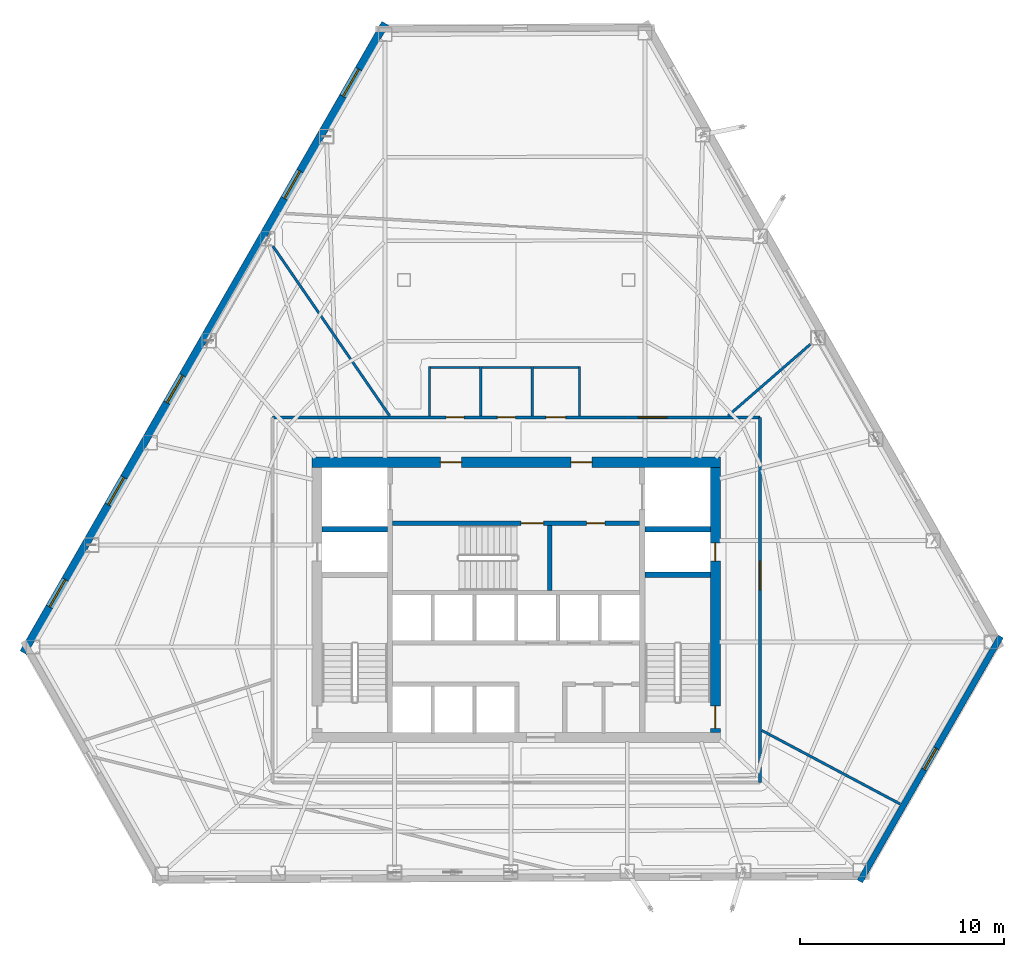
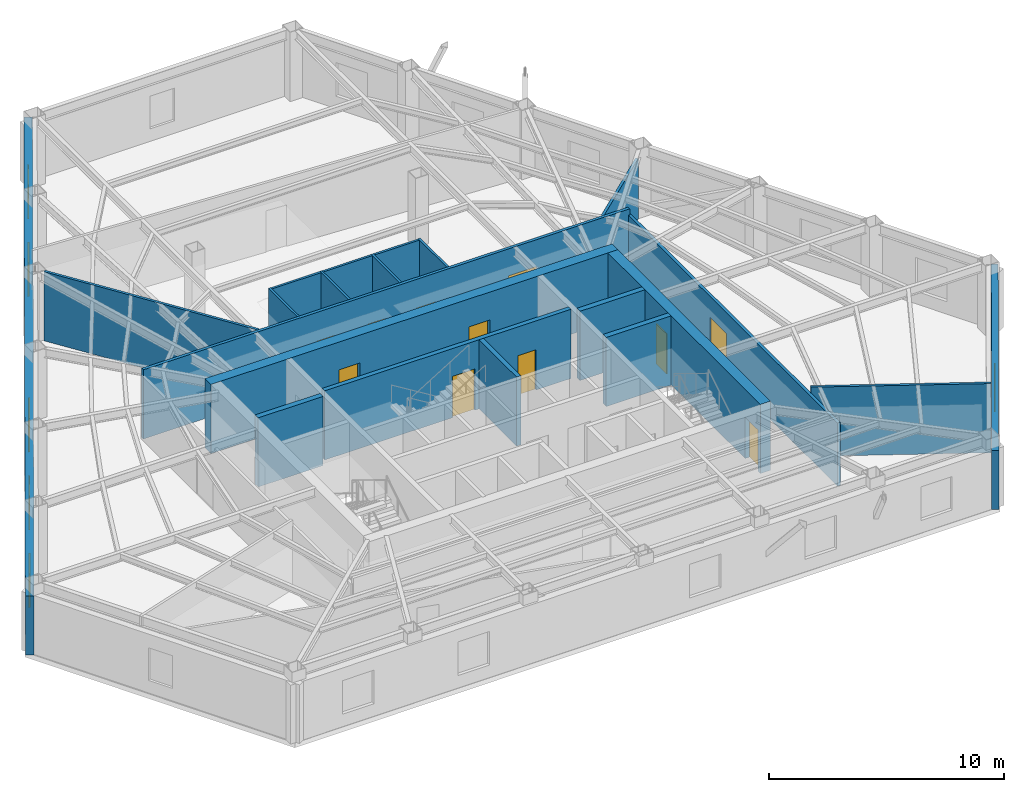
# One storey, part 9 of 13: 19 walls, 11 doors, 6 windows, 17 openings.
"""IFC4 building model written with IfcOpenShell, lengths in metres."""

from ifc_helpers import new_model, si_unit, direction, frame, frame_2d, origin, place, context, subcontext, project, spatial, rectangle, extrude, material, layer, layer_set, type_object, element, fill, save


model = new_model("IFC4")

# Units and contexts
model_context = context("Model", 3, precision=1e-05, world=origin(), true_north=direction((0.0, 1.0)))
body_context = subcontext(model_context, "Body", "Model", "MODEL_VIEW")
ifc_project = project(units=[si_unit("LENGTHUNIT", "METRE"), si_unit("AREAUNIT", "SQUARE_METRE"), si_unit("VOLUMEUNIT", "CUBIC_METRE"), si_unit("PLANEANGLEUNIT", "RADIAN"), si_unit("MASSUNIT", "GRAM", prefix="KILO")], contexts=[model_context])

# Site, building, storey
site_placement = place(None, origin())
site = spatial("IfcSite", under=ifc_project, at=site_placement, CompositionType="ELEMENT")
building_placement = place(site_placement, origin())
building = spatial("IfcBuilding", under=site, at=building_placement, Name="Kavelnor Concourse Tower", CompositionType="ELEMENT")
storey_placement = place(building_placement, frame((0.0, 0.0, 85.5)))
storey = spatial("IfcBuildingStorey", under=building, at=storey_placement, Name="L21", CompositionType="ELEMENT", Elevation=85.5)

# Wall, openings, doors
ifc_material_1 = material(Name="Concrete C60/75", Category="concrete")
ifc_layer_1 = layer(ifc_material_1, 0.5, Name="Concrete C60/75")
ifc_layer_set_1 = layer_set([ifc_layer_1], Name="Concrete C60/75")
wall_type_1 = type_object("IfcWallType", Name="WL-CORE-Z2-500", PredefinedType="SOLIDWALL", material=ifc_layer_set_1)
wall_1_placement = place(storey_placement, frame((27.97998046875, 22.85009765625, 0.0), z_axis=(0.0, 0.0, 1.0), x_axis=(1.0, 0.0, 0.0)))
wall_1 = element("IfcWall", 1, at=wall_1_placement, inside=storey, type_object=wall_type_1, Name="L21 Central Core North Shear Wall", PredefinedType="SOLIDWALL", context=body_context, shape_type="SweptSolid", body=[
    extrude(rectangle(XDim=20.0400390625, YDim=0.5, at=frame_2d((10.02001953125, 0.0))), origin(), (0.0, 0.0, 1.0), 3.60009765625),
])
opening_1_placement = place(wall_1_placement, frame((6.294921875, 0.0, 0.0)))
opening_1 = element("IfcOpeningElement", 2, at=opening_1_placement, cuts=wall_1, Name="Opening FD-105", PredefinedType="OPENING", context=body_context, shape_type="SweptSolid", body=[
    extrude(rectangle(XDim=1.050048828125, YDim=2.14990234375, at=frame_2d((0.52490234375, 1.074951171875))), frame((0.0, 0.260009765625, 0.0), z_axis=(0.0, -1.0, 0.0), x_axis=(1.0, 0.0, 0.0)), (0.0, 0.0, 1.0), 0.52001953125),
])
opening_2_placement = place(wall_1_placement, frame((12.695068359375, 0.0, 0.0)))
opening_2 = element("IfcOpeningElement", 3, at=opening_2_placement, cuts=wall_1, Name="Opening FD-105", PredefinedType="OPENING", context=body_context, shape_type="SweptSolid", body=[
    extrude(rectangle(XDim=1.050048828125, YDim=2.14990234375, at=frame_2d((0.52490234375, 1.074951171875))), frame((0.0, 0.260009765625, 0.0), z_axis=(0.0, -1.0, 0.0), x_axis=(1.0, 0.0, 0.0)), (0.0, 0.0, 1.0), 0.52001953125),
])
ifc_material_2 = material(Name="Steel Grade 350", Category="steel")
door_type_1 = type_object("IfcDoorType", Name="DR-LOBBY-FIRE-1050", OperationType="NOTDEFINED", PredefinedType="DOOR", material=ifc_material_2)
door_1_placement = place(opening_1_placement, origin())
door_1 = element("IfcDoor", 4, at=door_1_placement, inside=storey, type_object=door_type_1, Name="L21 Emergency Lift Lobby West Door", OperationType="SINGLE_SWING_LEFT", OverallHeight=2.14990234375, OverallWidth=1.050048828125, PredefinedType="DOOR", context=body_context, shape_type="SweptSolid", body=[
    extrude(rectangle(XDim=1.050048828125, YDim=2.14990234375, at=frame_2d((0.52490234375, 1.074951171875))), frame((0.0, 0.02490234375, 0.0), z_axis=(0.0, -1.0, 0.0), x_axis=(1.0, 0.0, 0.0)), (0.0, 0.0, 1.0), 0.050048828125),
])
fill(opening_1, door_1)
door_2_placement = place(opening_2_placement, origin())
door_2 = element("IfcDoor", 5, at=door_2_placement, inside=storey, type_object=door_type_1, Name="L21 Emergency Lift Lobby East Door", OperationType="SINGLE_SWING_RIGHT", OverallHeight=2.14990234375, OverallWidth=1.050048828125, PredefinedType="DOOR", context=body_context, shape_type="SweptSolid", body=[
    extrude(rectangle(XDim=1.050048828125, YDim=2.14990234375, at=frame_2d((0.52490234375, 1.074951171875))), frame((0.0, 0.02490234375, 0.0), z_axis=(0.0, -1.0, 0.0), x_axis=(1.0, 0.0, 0.0)), (0.0, 0.0, 1.0), 0.050048828125),
])
fill(opening_2, door_2)

wall_2_placement = place(storey_placement, frame((47.77001953125, 9.60009765625, 0.0), z_axis=(0.0, 0.0, 1.0), x_axis=(0.0, 1.0, 0.0)))
wall_2 = element("IfcWall", 6, at=wall_2_placement, inside=storey, type_object=wall_type_1, Name="L21 Central Core East Shear Wall", PredefinedType="SOLIDWALL", context=body_context, shape_type="SweptSolid", body=[
    extrude(rectangle(XDim=13.0, YDim=0.5, at=frame_2d((6.5, 0.0))), origin(), (0.0, 0.0, 1.0), 3.60009765625),
])
opening_3_placement = place(wall_2_placement, frame((0.199951171875, 0.0, 0.0)))
opening_3 = element("IfcOpeningElement", 7, at=opening_3_placement, cuts=wall_2, Name="Opening FD-110", PredefinedType="OPENING", context=body_context, shape_type="SweptSolid", body=[
    extrude(rectangle(XDim=1.10009765625, YDim=2.14990234375, at=frame_2d((0.550048828125, 1.074951171875))), frame((0.0, 0.260009765625, 0.0), z_axis=(0.0, -1.0, 0.0), x_axis=(1.0, 0.0, 0.0)), (0.0, 0.0, 1.0), 0.52001953125),
])
opening_4_placement = place(wall_2_placement, frame((8.39990234375, 0.0, 0.0)))
opening_4 = element("IfcOpeningElement", 8, at=opening_4_placement, cuts=wall_2, Name="Opening FD-090", PredefinedType="OPENING", context=body_context, shape_type="SweptSolid", body=[
    extrude(rectangle(XDim=0.89990234375, YDim=2.10009765625, at=frame_2d((0.449951171875, 1.050048828125))), frame((0.0, 0.260009765625, 0.0), z_axis=(0.0, -1.0, 0.0), x_axis=(1.0, 0.0, 0.0)), (0.0, 0.0, 1.0), 0.52001953125),
])
door_type_2 = type_object("IfcDoorType", Name="DR-RISER-FIRE-900", OperationType="NOTDEFINED", PredefinedType="DOOR", material=ifc_material_2)
door_3_placement = place(opening_4_placement, origin())
door_3 = element("IfcDoor", 9, at=door_3_placement, inside=storey, type_object=door_type_2, Name="L21 East Riser Access Door", OperationType="SINGLE_SWING_LEFT", OverallHeight=2.10009765625, OverallWidth=0.89990234375, PredefinedType="DOOR", context=body_context, shape_type="SweptSolid", body=[
    extrude(rectangle(XDim=0.89990234375, YDim=2.10009765625, at=frame_2d((0.449951171875, 1.050048828125))), frame((0.0, 0.02490234375, 0.0), z_axis=(0.0, -1.0, 0.0), x_axis=(1.0, 0.0, 0.0)), (0.0, 0.0, 1.0), 0.050048828125),
])
fill(opening_4, door_3)
door_type_3 = type_object("IfcDoorType", Name="DR-STAIR-FIRE-1100", OperationType="NOTDEFINED", PredefinedType="DOOR", material=ifc_material_2)
door_4_placement = place(opening_3_placement, origin())
door_4 = element("IfcDoor", 10, at=door_4_placement, inside=storey, type_object=door_type_3, Name="L21 Stair ST2 Fire Door", OperationType="SINGLE_SWING_RIGHT", OverallHeight=2.14990234375, OverallWidth=1.10009765625, PredefinedType="DOOR", context=body_context, shape_type="SweptSolid", body=[
    extrude(rectangle(XDim=1.10009765625, YDim=2.14990234375, at=frame_2d((0.550048828125, 1.074951171875))), frame((0.0, 0.02490234375, 0.0), z_axis=(0.0, -1.0, 0.0), x_axis=(1.0, 0.0, 0.0)), (0.0, 0.0, 1.0), 0.050048828125),
])
fill(opening_3, door_4)

# Wall, opening, window
ifc_material_3 = material(Name="Buff ironspot clay face brick masonry", Category="masonry")
ifc_layer_2 = layer(ifc_material_3, 0.300048828125, Name="Buff ironspot clay face brick masonry")
ifc_layer_set_2 = layer_set([ifc_layer_2], Name="Buff ironspot clay face brick masonry")
wall_type_2 = type_object("IfcWallType", Name="WL-EXT-BUFF-BRICK-FOLD-300", PredefinedType="STANDARD", material=ifc_layer_set_2)
wall_3_placement = place(storey_placement, frame((61.768310546875, 14.30419921875, 0.0), z_axis=(0.0, 0.0, 1.0), x_axis=(-0.498436047596, -0.866926471194, 0.0)))
wall_3 = element("IfcWall", 11, at=wall_3_placement, inside=storey, type_object=wall_type_2, Name="L21 Exterior Brick Facade Wall E4", PredefinedType="STANDARD", context=body_context, shape_type="SweptSolid", body=[
    extrude(rectangle(XDim=13.86181640625, YDim=0.300048828125, at=frame_2d((6.930908203125, 0.0))), origin(), (0.0, 0.0, 1.0), 3.05908203125),
])
opening_5_placement = place(wall_3_placement, frame((6.330810546875, 0.0, 0.64990234375)))
opening_5 = element("IfcOpeningElement", 12, at=opening_5_placement, cuts=wall_3, Name="Opening W-05", PredefinedType="OPENING", context=body_context, shape_type="SweptSolid", body=[
    extrude(rectangle(XDim=1.199951171875, YDim=1.699951171875, at=frame_2d((0.60009765625, 0.85009765625))), frame((0.0, 0.16015625, 0.0), z_axis=(0.0, -1.0, 0.0), x_axis=(1.0, 0.0, 0.0)), (0.0, 0.0, 1.0), 0.320068359375),
])
ifc_material_4 = material(Name="Double low-E argon insulated glazing", Category="glass")
window_type_1 = type_object("IfcWindowType", Name="WIN-FOLD-1200", PartitioningType="SINGLE_PANEL", PredefinedType="WINDOW", material=ifc_material_4)
window_1_placement = place(opening_5_placement, origin())
window_1 = element("IfcWindow", 13, at=window_1_placement, inside=storey, type_object=window_type_1, Name="L21 Chamfer-Fold Facet Window C2", OverallHeight=1.699951171875, OverallWidth=1.199951171875, PartitioningType="SINGLE_PANEL", PredefinedType="WINDOW", context=body_context, shape_type="SweptSolid", body=[
    extrude(rectangle(XDim=1.199951171875, YDim=1.699951171875, at=frame_2d((0.60009765625, 0.85009765625))), frame((0.0, 0.030029296875, 0.0), z_axis=(0.0, -1.0, 0.0), x_axis=(1.0, 0.0, 0.0)), (0.0, 0.0, 1.0), 0.06005859375),
])
fill(opening_5, window_1)

# Wall, openings, windows
ifc_material_5 = material(Name="Red-ochre clay face brick masonry", Category="masonry")
ifc_layer_3 = layer(ifc_material_5, 0.3798828125, Name="Red-ochre clay face brick masonry")
ifc_layer_set_3 = layer_set([ifc_layer_3], Name="Red-ochre clay face brick masonry")
wall_type_3 = type_object("IfcWallType", Name="WL-EXT-RED-BRICK-PIER-380", PredefinedType="STANDARD", material=ifc_layer_set_3)
wall_4_placement = place(storey_placement, frame((13.816650390625, 13.508544921875, 0.0), z_axis=(0.0, 0.0, 1.0), x_axis=(0.498436356308, 0.866926293701, 0.0)))
wall_4 = element("IfcWall", 14, at=wall_4_placement, inside=storey, type_object=wall_type_3, Name="L21 Exterior Brick Facade Wall E1", PredefinedType="STANDARD", context=body_context, shape_type="SweptSolid", body=[
    extrude(rectangle(XDim=35.62158203125, YDim=0.3798828125, at=frame_2d((17.810791015625, 0.0))), origin(), (0.0, 0.0, 1.0), 3.05908203125),
])
opening_6_placement = place(wall_4_placement, frame((31.481201171875, 0.0, 0.64990234375)))
opening_6 = element("IfcOpeningElement", 15, at=opening_6_placement, cuts=wall_4, Name="Opening W-02", PredefinedType="OPENING", context=body_context, shape_type="SweptSolid", body=[
    extrude(rectangle(XDim=1.550048828125, YDim=1.75, at=frame_2d((0.77490234375, 0.875))), frame((0.0, 0.199951171875, 0.0), z_axis=(0.0, -1.0, 0.0), x_axis=(1.0, 0.0, 0.0)), (0.0, 0.0, 1.0), 0.39990234375),
])
opening_7_placement = place(wall_4_placement, frame((25.702880859375, 0.0, 0.64990234375)))
opening_7 = element("IfcOpeningElement", 16, at=opening_7_placement, cuts=wall_4, Name="Opening W-02", PredefinedType="OPENING", context=body_context, shape_type="SweptSolid", body=[
    extrude(rectangle(XDim=1.550048828125, YDim=1.75, at=frame_2d((0.77490234375, 0.875))), frame((0.0, 0.199951171875, 0.0), z_axis=(0.0, -1.0, 0.0), x_axis=(1.0, 0.0, 0.0)), (0.0, 0.0, 1.0), 0.39990234375),
])
opening_8_placement = place(wall_4_placement, frame((14.145751953125, 0.0, 0.64990234375)))
opening_8 = element("IfcOpeningElement", 17, at=opening_8_placement, cuts=wall_4, Name="Opening W-02", PredefinedType="OPENING", context=body_context, shape_type="SweptSolid", body=[
    extrude(rectangle(XDim=1.550048828125, YDim=1.75, at=frame_2d((0.77490234375, 0.875))), frame((0.0, 0.199951171875, 0.0), z_axis=(0.0, -1.0, 0.0), x_axis=(1.0, 0.0, 0.0)), (0.0, 0.0, 1.0), 0.39990234375),
])
opening_9_placement = place(wall_4_placement, frame((8.3671875, 0.0, 0.64990234375)))
opening_9 = element("IfcOpeningElement", 18, at=opening_9_placement, cuts=wall_4, Name="Opening W-02", PredefinedType="OPENING", context=body_context, shape_type="SweptSolid", body=[
    extrude(rectangle(XDim=1.550048828125, YDim=1.75, at=frame_2d((0.77490234375, 0.875))), frame((0.0, 0.199951171875, 0.0), z_axis=(0.0, -1.0, 0.0), x_axis=(1.0, 0.0, 0.0)), (0.0, 0.0, 1.0), 0.39990234375),
])
opening_10_placement = place(wall_4_placement, frame((2.588623046875, 0.0, 0.64990234375)))
opening_10 = element("IfcOpeningElement", 19, at=opening_10_placement, cuts=wall_4, Name="Opening W-02", PredefinedType="OPENING", context=body_context, shape_type="SweptSolid", body=[
    extrude(rectangle(XDim=1.550048828125, YDim=1.75, at=frame_2d((0.77490234375, 0.875))), frame((0.0, 0.199951171875, 0.0), z_axis=(0.0, -1.0, 0.0), x_axis=(1.0, 0.0, 0.0)), (0.0, 0.0, 1.0), 0.39990234375),
])
window_type_2 = type_object("IfcWindowType", Name="WIN-PIER-Z2-1650", PartitioningType="SINGLE_PANEL", PredefinedType="WINDOW", material=ifc_material_4)
window_2_placement = place(opening_6_placement, origin())
window_2 = element("IfcWindow", 20, at=window_2_placement, inside=storey, type_object=window_type_2, Name="L21 Deep-Set Brick Pier Window F0-B0", OverallHeight=1.75, OverallWidth=1.550048828125, PartitioningType="SINGLE_PANEL", PredefinedType="WINDOW", context=body_context, shape_type="SweptSolid", body=[
    extrude(rectangle(XDim=1.550048828125, YDim=1.75, at=frame_2d((0.77490234375, 0.875))), frame((0.0, 0.030029296875, 0.0), z_axis=(0.0, -1.0, 0.0), x_axis=(1.0, 0.0, 0.0)), (0.0, 0.0, 1.0), 0.06005859375),
])
fill(opening_6, window_2)
window_3_placement = place(opening_7_placement, origin())
window_3 = element("IfcWindow", 21, at=window_3_placement, inside=storey, type_object=window_type_2, Name="L21 Deep-Set Brick Pier Window F0-B1", OverallHeight=1.75, OverallWidth=1.550048828125, PartitioningType="SINGLE_PANEL", PredefinedType="WINDOW", context=body_context, shape_type="SweptSolid", body=[
    extrude(rectangle(XDim=1.550048828125, YDim=1.75, at=frame_2d((0.77490234375, 0.875))), frame((0.0, 0.030029296875, 0.0), z_axis=(0.0, -1.0, 0.0), x_axis=(1.0, 0.0, 0.0)), (0.0, 0.0, 1.0), 0.06005859375),
])
fill(opening_7, window_3)
window_4_placement = place(opening_8_placement, origin())
window_4 = element("IfcWindow", 22, at=window_4_placement, inside=storey, type_object=window_type_2, Name="L21 Deep-Set Brick Pier Window F0-B3", OverallHeight=1.75, OverallWidth=1.550048828125, PartitioningType="SINGLE_PANEL", PredefinedType="WINDOW", context=body_context, shape_type="SweptSolid", body=[
    extrude(rectangle(XDim=1.550048828125, YDim=1.75, at=frame_2d((0.77490234375, 0.875))), frame((0.0, 0.030029296875, 0.0), z_axis=(0.0, -1.0, 0.0), x_axis=(1.0, 0.0, 0.0)), (0.0, 0.0, 1.0), 0.06005859375),
])
fill(opening_8, window_4)
window_5_placement = place(opening_9_placement, origin())
window_5 = element("IfcWindow", 23, at=window_5_placement, inside=storey, type_object=window_type_2, Name="L21 Deep-Set Brick Pier Window F0-B4", OverallHeight=1.75, OverallWidth=1.550048828125, PartitioningType="SINGLE_PANEL", PredefinedType="WINDOW", context=body_context, shape_type="SweptSolid", body=[
    extrude(rectangle(XDim=1.550048828125, YDim=1.75, at=frame_2d((0.77490234375, 0.875))), frame((0.0, 0.030029296875, 0.0), z_axis=(0.0, -1.0, 0.0), x_axis=(1.0, 0.0, 0.0)), (0.0, 0.0, 1.0), 0.06005859375),
])
fill(opening_9, window_5)
window_6_placement = place(opening_10_placement, origin())
window_6 = element("IfcWindow", 24, at=window_6_placement, inside=storey, type_object=window_type_2, Name="L21 Deep-Set Brick Pier Window F0-B5", OverallHeight=1.75, OverallWidth=1.550048828125, PartitioningType="SINGLE_PANEL", PredefinedType="WINDOW", context=body_context, shape_type="SweptSolid", body=[
    extrude(rectangle(XDim=1.550048828125, YDim=1.75, at=frame_2d((0.77490234375, 0.875))), frame((0.0, 0.030029296875, 0.0), z_axis=(0.0, -1.0, 0.0), x_axis=(1.0, 0.0, 0.0)), (0.0, 0.0, 1.0), 0.06005859375),
])
fill(opening_10, window_6)

# Wall, opening, door
ifc_material_6 = material(Name="Gypsum plasterboard on light-gauge steel studs", Category="steel")
ifc_layer_4 = layer(ifc_material_6, 0.14501953125, Name="Gypsum plasterboard on light-gauge steel studs")
ifc_layer_set_4 = layer_set([ifc_layer_4], Name="Gypsum plasterboard on light-gauge steel studs")
wall_type_4 = type_object("IfcWallType", Name="WL-INT-CORR-145", PredefinedType="PARTITIONING", material=ifc_layer_set_4)
wall_5_placement = place(storey_placement, frame((49.969970703125, 7.14990234375, 0.0), z_axis=(0.0, 0.0, 1.0), x_axis=(0.0, 1.0, 0.0)))
wall_5 = element("IfcWall", 25, at=wall_5_placement, inside=storey, type_object=wall_type_4, Name="L21 Corridor Wall WL-L21-CR-01", PredefinedType="PARTITIONING", context=body_context, shape_type="SweptSolid", body=[
    extrude(rectangle(XDim=17.900146484375, YDim=0.14501953125, at=frame_2d((8.9501953125, 0.0))), origin(), (0.0, 0.0, 1.0), 3.2880859375),
])
opening_11_placement = place(wall_5_placement, frame((9.445556640625, 0.0, 0.0)))
opening_11 = element("IfcOpeningElement", 26, at=opening_11_placement, cuts=wall_5, Name="Opening SD-140", PredefinedType="OPENING", context=body_context, shape_type="SweptSolid", body=[
    extrude(rectangle(XDim=1.39990234375, YDim=2.199951171875, at=frame_2d((0.699951171875, 1.10009765625))), frame((0.0, 0.08251953125, 0.0), z_axis=(0.0, -1.0, 0.0), x_axis=(1.0, 0.0, 0.0)), (0.0, 0.0, 1.0), 0.1650390625),
])
ifc_material_7 = material(Name="Solid-core hardwood timber", Category="wood")
door_type_4 = type_object("IfcDoorType", Name="DR-SUITE-ENTRY-1400", OperationType="NOTDEFINED", PredefinedType="DOOR", material=ifc_material_7)
door_5_placement = place(opening_11_placement, origin())
door_5 = element("IfcDoor", 27, at=door_5_placement, inside=storey, type_object=door_type_4, Name="L21 Client Concierge 01 Door", OperationType="SINGLE_SWING_LEFT", OverallHeight=2.199951171875, OverallWidth=1.39990234375, PredefinedType="DOOR", context=body_context, shape_type="SweptSolid", body=[
    extrude(rectangle(XDim=1.39990234375, YDim=2.199951171875, at=frame_2d((0.699951171875, 1.10009765625))), frame((0.0, 0.02490234375, 0.0), z_axis=(0.0, -1.0, 0.0), x_axis=(1.0, 0.0, 0.0)), (0.0, 0.0, 1.0), 0.050048828125),
])
fill(opening_11, door_5)

# Wall, openings, doors
wall_6_placement = place(storey_placement, frame((49.969970703125, 25.050048828125, 0.0), z_axis=(0.0, 0.0, 1.0), x_axis=(-1.0, 0.0, 0.0)))
wall_6 = element("IfcWall", 28, at=wall_6_placement, inside=storey, type_object=wall_type_4, Name="L21 Corridor Wall WL-L21-CR-02", PredefinedType="PARTITIONING", context=body_context, shape_type="SweptSolid", body=[
    extrude(rectangle(XDim=23.93994140625, YDim=0.14501953125, at=frame_2d((11.969970703125, 0.0))), origin(), (0.0, 0.0, 1.0), 3.60009765625),
])
opening_12_placement = place(wall_6_placement, frame((14.530029296875, 0.0, 0.0)))
opening_12 = element("IfcOpeningElement", 29, at=opening_12_placement, cuts=wall_6, Name="Opening WD-088", PredefinedType="OPENING", context=body_context, shape_type="SweptSolid", body=[
    extrude(rectangle(XDim=0.8798828125, YDim=2.10009765625, at=frame_2d((0.43994140625, 1.050048828125))), frame((0.0, 0.08251953125, 0.0), z_axis=(0.0, -1.0, 0.0), x_axis=(1.0, 0.0, 0.0)), (0.0, 0.0, 1.0), 0.1650390625),
])
opening_13_placement = place(wall_6_placement, frame((12.010009765625, 0.0, 0.0)))
opening_13 = element("IfcOpeningElement", 30, at=opening_13_placement, cuts=wall_6, Name="Opening WD-088", PredefinedType="OPENING", context=body_context, shape_type="SweptSolid", body=[
    extrude(rectangle(XDim=0.8798828125, YDim=2.10009765625, at=frame_2d((0.43994140625, 1.050048828125))), frame((0.0, 0.08251953125, 0.0), z_axis=(0.0, -1.0, 0.0), x_axis=(1.0, 0.0, 0.0)), (0.0, 0.0, 1.0), 0.1650390625),
])
opening_14_placement = place(wall_6_placement, frame((9.550048828125, 0.0, 0.0)))
opening_14 = element("IfcOpeningElement", 31, at=opening_14_placement, cuts=wall_6, Name="Opening WD-096", PredefinedType="OPENING", context=body_context, shape_type="SweptSolid", body=[
    extrude(rectangle(XDim=0.9599609375, YDim=2.10009765625, at=frame_2d((0.47998046875, 1.050048828125))), frame((0.0, 0.08251953125, 0.0), z_axis=(0.0, -1.0, 0.0), x_axis=(1.0, 0.0, 0.0)), (0.0, 0.0, 1.0), 0.1650390625),
])
opening_15_placement = place(wall_6_placement, frame((4.57958984375, 0.0, 0.0)))
opening_15 = element("IfcOpeningElement", 32, at=opening_15_placement, cuts=wall_6, Name="Opening SD-140", PredefinedType="OPENING", context=body_context, shape_type="SweptSolid", body=[
    extrude(rectangle(XDim=1.39990234375, YDim=2.199951171875, at=frame_2d((0.699951171875, 1.10009765625))), frame((0.0, 0.08251953125, 0.0), z_axis=(0.0, -1.0, 0.0), x_axis=(1.0, 0.0, 0.0)), (0.0, 0.0, 1.0), 0.1650390625),
])
door_6_placement = place(opening_15_placement, origin())
door_6 = element("IfcDoor", 33, at=door_6_placement, inside=storey, type_object=door_type_4, Name="L21 Workplace Open Office 02 Door", OperationType="SINGLE_SWING_RIGHT", OverallHeight=2.199951171875, OverallWidth=1.39990234375, PredefinedType="DOOR", context=body_context, shape_type="SweptSolid", body=[
    extrude(rectangle(XDim=1.39990234375, YDim=2.199951171875, at=frame_2d((0.699951171875, 1.10009765625))), frame((0.0, 0.02490234375, 0.0), z_axis=(0.0, -1.0, 0.0), x_axis=(1.0, 0.0, 0.0)), (0.0, 0.0, 1.0), 0.050048828125),
])
fill(opening_15, door_6)
door_type_5 = type_object("IfcDoorType", Name="DR-WC-ACC-960", OperationType="NOTDEFINED", PredefinedType="DOOR", material=ifc_material_7)
door_7_placement = place(opening_14_placement, origin())
door_7 = element("IfcDoor", 34, at=door_7_placement, inside=storey, type_object=door_type_5, Name="L21 Accessible WC Door", OperationType="SINGLE_SWING_RIGHT", OverallHeight=2.10009765625, OverallWidth=0.9599609375, PredefinedType="DOOR", context=body_context, shape_type="SweptSolid", body=[
    extrude(rectangle(XDim=0.9599609375, YDim=2.10009765625, at=frame_2d((0.47998046875, 1.050048828125))), frame((0.0, 0.02490234375, 0.0), z_axis=(0.0, -1.0, 0.0), x_axis=(1.0, 0.0, 0.0)), (0.0, 0.0, 1.0), 0.050048828125),
])
fill(opening_14, door_7)
door_type_6 = type_object("IfcDoorType", Name="DR-WC-STD-880", OperationType="NOTDEFINED", PredefinedType="DOOR", material=ifc_material_7)
door_8_placement = place(opening_12_placement, origin())
door_8 = element("IfcDoor", 35, at=door_8_placement, inside=storey, type_object=door_type_6, Name="L21 Male WC Door", OperationType="SINGLE_SWING_RIGHT", OverallHeight=2.10009765625, OverallWidth=0.8798828125, PredefinedType="DOOR", context=body_context, shape_type="SweptSolid", body=[
    extrude(rectangle(XDim=0.8798828125, YDim=2.10009765625, at=frame_2d((0.43994140625, 1.050048828125))), frame((0.0, 0.02490234375, 0.0), z_axis=(0.0, -1.0, 0.0), x_axis=(1.0, 0.0, 0.0)), (0.0, 0.0, 1.0), 0.050048828125),
])
fill(opening_12, door_8)
door_9_placement = place(opening_13_placement, origin())
door_9 = element("IfcDoor", 36, at=door_9_placement, inside=storey, type_object=door_type_6, Name="L21 Female WC Door", OperationType="SINGLE_SWING_LEFT", OverallHeight=2.10009765625, OverallWidth=0.8798828125, PredefinedType="DOOR", context=body_context, shape_type="SweptSolid", body=[
    extrude(rectangle(XDim=0.8798828125, YDim=2.10009765625, at=frame_2d((0.43994140625, 1.050048828125))), frame((0.0, 0.02490234375, 0.0), z_axis=(0.0, -1.0, 0.0), x_axis=(1.0, 0.0, 0.0)), (0.0, 0.0, 1.0), 0.050048828125),
])
fill(opening_13, door_9)

# Walls
ifc_layer_5 = layer(ifc_material_6, 0.125, Name="Gypsum plasterboard on light-gauge steel studs")
ifc_layer_set_5 = layer_set([ifc_layer_5], Name="Gypsum plasterboard on light-gauge steel studs")
wall_type_5 = type_object("IfcWallType", Name="WL-INT-SUITE-125", PredefinedType="PARTITIONING", material=ifc_layer_set_5)
wall_7_placement = place(storey_placement, frame((48.392333984375, 25.130615234375, 0.0), z_axis=(0.0, 0.0, 1.0), x_axis=(0.754851545416, 0.655895681022, 0.0)))
element("IfcWall", 37, at=wall_7_placement, inside=storey, type_object=wall_type_5, Name="L21 Radial Suite Partition 01", PredefinedType="PARTITIONING", context=body_context, shape_type="SweptSolid", body=[
    extrude(rectangle(XDim=5.361083984375, YDim=0.125, at=frame_2d((2.6806640625, 0.0))), origin(), (0.0, 0.0, 1.0), 3.14111328125),
])
wall_8_placement = place(storey_placement, frame((31.787841796875, 25.130615234375, 0.0), z_axis=(0.0, 0.0, 1.0), x_axis=(-0.566752351953, 0.823888203312, 0.0)))
element("IfcWall", 38, at=wall_8_placement, inside=storey, type_object=wall_type_5, Name="L21 Radial Suite Partition 02", PredefinedType="PARTITIONING", context=body_context, shape_type="SweptSolid", body=[
    extrude(rectangle(XDim=10.104248046875, YDim=0.125, at=frame_2d((5.05224609375, 0.0))), origin(), (0.0, 0.0, 1.0), 3.60009765625),
])
wall_9_placement = place(storey_placement, frame((50.050537109375, 9.692626953125, 0.0), z_axis=(0.0, 0.0, 1.0), x_axis=(0.882944643011, -0.4694771106, 0.0)))
element("IfcWall", 39, at=wall_9_placement, inside=storey, type_object=wall_type_5, Name="L21 Radial Suite Partition 04", PredefinedType="PARTITIONING", context=body_context, shape_type="SweptSolid", body=[
    extrude(rectangle(XDim=7.689208984375, YDim=0.125, at=frame_2d((3.8447265625, 0.0))), origin(), (0.0, 0.0, 1.0), 3.60009765625),
])
ifc_layer_6 = layer(ifc_material_6, 0.110107421875, Name="Gypsum plasterboard on light-gauge steel studs")
ifc_layer_set_6 = layer_set([ifc_layer_6], Name="Gypsum plasterboard on light-gauge steel studs")
wall_type_6 = type_object("IfcWallType", Name="WL-INT-WC-110", PredefinedType="PLUMBINGWALL", material=ifc_layer_set_6)
for number, where, z_axis, x_axis, name in (
    (40, (33.739990234375, 25.1201171875, 0.0), (0.0, 0.0, 1.0), (0.0, 1.0, 0.0), "L21 Sanitary Partition WL-L21-WC-W"),
    (41, (36.260009765625, 25.1201171875, 0.0), (0.0, 0.0, 1.0), (0.0, 1.0, 0.0), "L21 Sanitary Partition WL-L21-WC-D1"),
    (42, (38.780029296875, 25.1201171875, 0.0), (0.0, 0.0, 1.0), (0.0, 1.0, 0.0), "L21 Sanitary Partition WL-L21-WC-D2"),
    (43, (41.10009765625, 25.1201171875, 0.0), (0.0, 0.0, 1.0), (0.0, 1.0, 0.0), "L21 Sanitary Partition WL-L21-WC-E"),
):
    element("IfcWall", number, at=place(storey_placement, frame(where, z_axis=z_axis, x_axis=x_axis)), inside=storey, type_object=wall_type_6, Name=name, PredefinedType="PLUMBINGWALL", context=body_context, shape_type="SweptSolid", body=[
        extrude(rectangle(XDim=2.43994140625, YDim=0.110107421875, at=frame_2d((1.219970703125, 0.0))), origin(), (0.0, 0.0, 1.0), 3.60009765625),
    ])
wall_10_placement = place(storey_placement, frame((33.68994140625, 27.5, 0.0), z_axis=(0.0, 0.0, 1.0), x_axis=(1.0, 0.0, 0.0)))
element("IfcWall", 44, at=wall_10_placement, inside=storey, type_object=wall_type_6, Name="L21 Sanitary Partition WL-L21-WC-N", PredefinedType="PLUMBINGWALL", context=body_context, shape_type="SweptSolid", body=[
    extrude(rectangle(XDim=7.4599609375, YDim=0.110107421875, at=frame_2d((3.72998046875, 0.0))), origin(), (0.0, 0.0, 1.0), 3.60009765625),
])

# Wall, openings, doors
ifc_material_8 = material(Name="Concrete C50/60", Category="concrete")
ifc_layer_7 = layer(ifc_material_8, 0.219970703125, Name="Concrete C50/60")
ifc_layer_set_7 = layer_set([ifc_layer_7], Name="Concrete C50/60")
wall_type_7 = type_object("IfcWallType", Name="WL-SHAFT-220", PredefinedType="SOLIDWALL", material=ifc_layer_set_7)
wall_11_placement = place(storey_placement, frame((31.93994140625, 19.8701171875, 0.0), z_axis=(0.0, 0.0, 1.0), x_axis=(1.0, 0.0, 0.0)))
wall_11 = element("IfcWall", 45, at=wall_11_placement, inside=storey, type_object=wall_type_7, Name="L21 Emergency Lift Lobby South Wall", PredefinedType="SOLIDWALL", context=body_context, shape_type="SweptSolid", body=[
    extrude(rectangle(XDim=12.1201171875, YDim=0.219970703125, at=frame_2d((6.06005859375, 0.0))), origin(), (0.0, 0.0, 1.0), 3.60009765625),
])
opening_16_placement = place(wall_11_placement, frame((6.300048828125, 0.0, 0.0)))
opening_16 = element("IfcOpeningElement", 46, at=opening_16_placement, cuts=wall_11, Name="Opening FD-110", PredefinedType="OPENING", context=body_context, shape_type="SweptSolid", body=[
    extrude(rectangle(XDim=1.10009765625, YDim=2.14990234375, at=frame_2d((0.550048828125, 1.074951171875))), frame((0.0, 0.1201171875, 0.0), z_axis=(0.0, -1.0, 0.0), x_axis=(1.0, 0.0, 0.0)), (0.0, 0.0, 1.0), 0.239990234375),
])
opening_17_placement = place(wall_11_placement, frame((9.510009765625, 0.0, 0.0)))
opening_17 = element("IfcOpeningElement", 47, at=opening_17_placement, cuts=wall_11, Name="Opening FD-090", PredefinedType="OPENING", context=body_context, shape_type="SweptSolid", body=[
    extrude(rectangle(XDim=0.89990234375, YDim=2.10009765625, at=frame_2d((0.449951171875, 1.050048828125))), frame((0.0, 0.1201171875, 0.0), z_axis=(0.0, -1.0, 0.0), x_axis=(1.0, 0.0, 0.0)), (0.0, 0.0, 1.0), 0.239990234375),
])
door_10_placement = place(opening_17_placement, origin())
door_10 = element("IfcDoor", 48, at=door_10_placement, inside=storey, type_object=door_type_2, Name="L21 Electrical Comms Door", OperationType="SINGLE_SWING_LEFT", OverallHeight=2.10009765625, OverallWidth=0.89990234375, PredefinedType="DOOR", context=body_context, shape_type="SweptSolid", body=[
    extrude(rectangle(XDim=0.89990234375, YDim=2.10009765625, at=frame_2d((0.449951171875, 1.050048828125))), frame((0.0, 0.02490234375, 0.0), z_axis=(0.0, -1.0, 0.0), x_axis=(1.0, 0.0, 0.0)), (0.0, 0.0, 1.0), 0.050048828125),
])
fill(opening_17, door_10)
door_11_placement = place(opening_16_placement, origin())
door_11 = element("IfcDoor", 49, at=door_11_placement, inside=storey, type_object=door_type_3, Name="L21 Stair ST3 Fire Door", OperationType="SINGLE_SWING_LEFT", OverallHeight=2.14990234375, OverallWidth=1.10009765625, PredefinedType="DOOR", context=body_context, shape_type="SweptSolid", body=[
    extrude(rectangle(XDim=1.10009765625, YDim=2.14990234375, at=frame_2d((0.550048828125, 1.074951171875))), frame((0.0, 0.02490234375, 0.0), z_axis=(0.0, -1.0, 0.0), x_axis=(1.0, 0.0, 0.0)), (0.0, 0.0, 1.0), 0.050048828125),
])
fill(opening_16, door_11)

# Walls
wall_12_placement = place(storey_placement, frame((39.64990234375, 16.56005859375, 0.0), z_axis=(0.0, 0.0, 1.0), x_axis=(0.0, 1.0, 0.0)))
element("IfcWall", 50, at=wall_12_placement, inside=storey, type_object=wall_type_7, Name="L21 Stair ST3 East Core Wall", PredefinedType="SOLIDWALL", context=body_context, shape_type="SweptSolid", body=[
    extrude(rectangle(XDim=3.199951171875, YDim=0.219970703125, at=frame_2d((1.60009765625, 0.0))), origin(), (0.0, 0.0, 1.0), 3.60009765625),
])
ifc_layer_8 = layer(ifc_material_8, 0.260009765625, Name="Concrete C50/60")
ifc_layer_set_8 = layer_set([ifc_layer_8], Name="Concrete C50/60")
wall_type_8 = type_object("IfcWallType", Name="WL-SHAFT-260", PredefinedType="SHEAR", material=ifc_layer_set_8)
for number, where, z_axis, x_axis, name in (
    (51, (28.47998046875, 19.570068359375, 0.0), (0.0, 0.0, 1.0), (1.0, 0.0, 0.0), "L21 Emergency Lift FL1 South Shaft Wall"),
    (52, (44.320068359375, 17.330078125, 0.0), (0.0, 0.0, 1.0), (1.0, 0.0, 0.0), "L21 Stair ST2 North Shaft Wall"),
    (53, (44.320068359375, 19.570068359375, 0.0), (0.0, 0.0, 1.0), (1.0, 0.0, 0.0), "L21 Emergency Lift FL2 South Shaft Wall"),
):
    element("IfcWall", number, at=place(storey_placement, frame(where, z_axis=z_axis, x_axis=x_axis)), inside=storey, type_object=wall_type_8, Name=name, PredefinedType="SHEAR", context=body_context, shape_type="SweptSolid", body=[
        extrude(rectangle(XDim=3.199951171875, YDim=0.260009765625, at=frame_2d((1.60009765625, 0.0))), origin(), (0.0, 0.0, 1.0), 3.60009765625),
    ])

save(model, "model.ifc")
